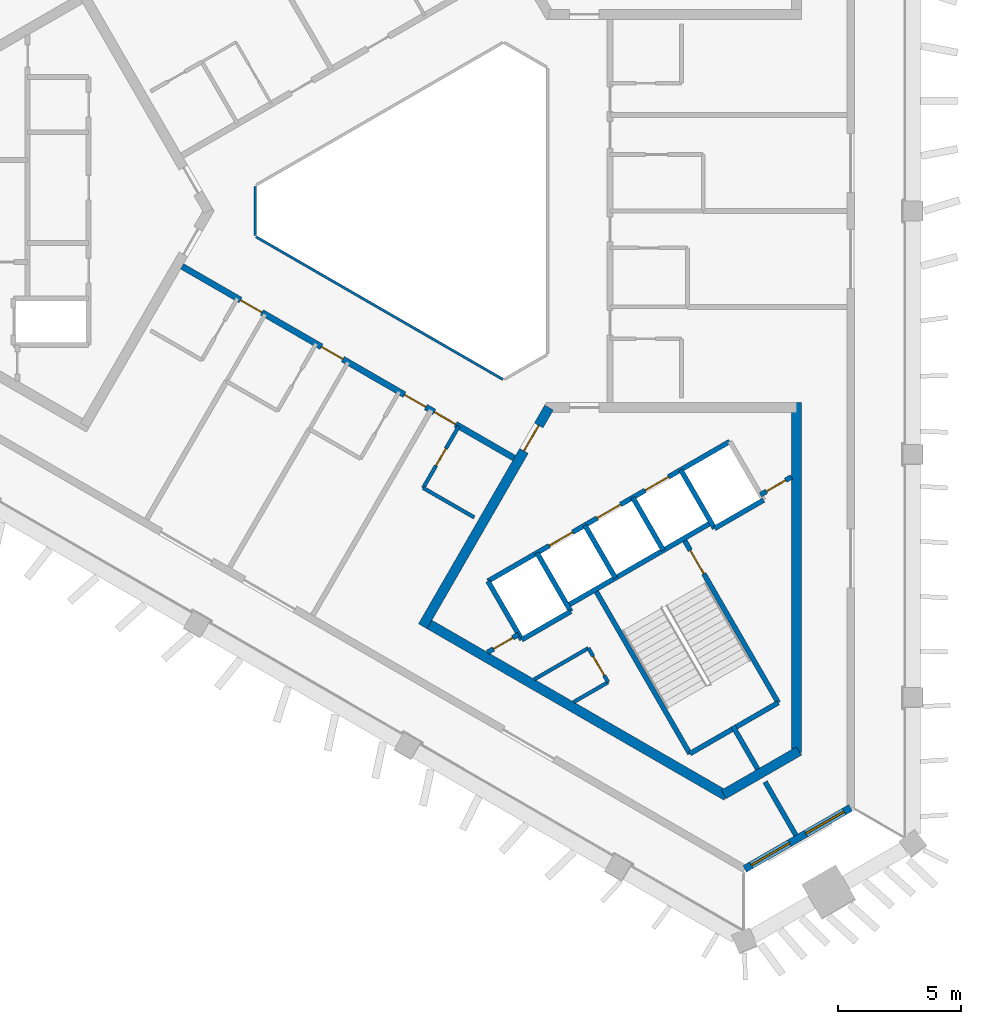
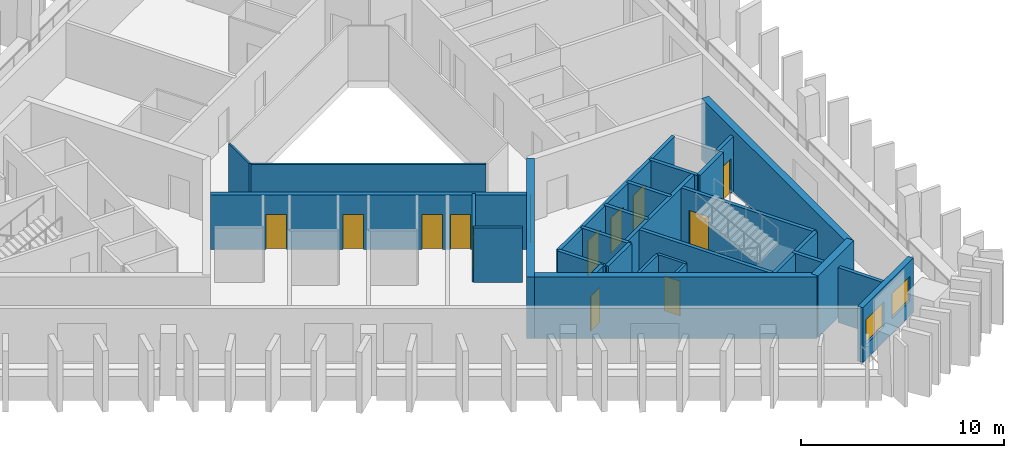
# One storey, part 3 of 9: 29 walls, 13 doors, 2 windows, 15 openings.
"""IFC4 building model written with IfcOpenShell, lengths in metres."""

from ifc_helpers import new_model, si_unit, direction, frame, frame_2d, origin, place, context, subcontext, project, spatial, rectangle, extrude, material, layer, layer_set, type_object, element, fill, save


model = new_model("IFC4")

# Units and contexts
model_context = context("Model", 3, precision=1e-05, world=origin(), true_north=direction((0.0, 1.0)))
body_context = subcontext(model_context, "Body", "Model", "MODEL_VIEW")
ifc_project = project(units=[si_unit("LENGTHUNIT", "METRE"), si_unit("AREAUNIT", "SQUARE_METRE"), si_unit("VOLUMEUNIT", "CUBIC_METRE"), si_unit("PLANEANGLEUNIT", "RADIAN"), si_unit("MASSUNIT", "GRAM", prefix="KILO")], contexts=[model_context])

# Site, building, storey
site_placement = place(None, origin())
site = spatial("IfcSite", under=ifc_project, at=site_placement, CompositionType="ELEMENT")
building_placement = place(site_placement, origin())
building = spatial("IfcBuilding", under=site, at=building_placement, Name="Jabali Bay Hotel Tower and Convention Centre", CompositionType="ELEMENT")
storey_placement = place(building_placement, frame((0.0, 0.0, 259.0)))
storey = spatial("IfcBuildingStorey", under=building, at=storey_placement, Name="L63", CompositionType="ELEMENT", Elevation=259.0)

# Walls
ifc_material_1 = material(Name="Fire-resistant glazing", Category="glass")
ifc_layer_1 = layer(ifc_material_1, 0.10009765625)
ifc_layer_set_1 = layer_set([ifc_layer_1], Name="Fire-resistant glazing")
wall_type_1 = type_object("IfcWallType", Name="Atrium glazed screen 100", PredefinedType="PARTITIONING", material=ifc_layer_set_1)
wall_1_placement = place(storey_placement, frame((67.672119140625, 81.0, 0.0), z_axis=(0.0, 0.0, 1.0), x_axis=(0.0, -1.0, 0.0)))
element("IfcWall", 1, at=wall_1_placement, inside=storey, type_object=wall_type_1, Name="Atrium screen 4 L63", PredefinedType="PARTITIONING", context=body_context, shape_type="SweptSolid", body=[
    extrude(rectangle(XDim=2.0, YDim=0.10009765625, at=frame_2d((1.0, 0.0))), origin(), (0.0, 0.0, 1.0), 3.300048828125),
])
wall_2_placement = place(storey_placement, frame((67.7021484375, 78.947998046875, 0.0), z_axis=(0.0, 0.0, 1.0), x_axis=(0.866026658274, -0.499997827154, 0.0)))
element("IfcWall", 2, at=wall_2_placement, inside=storey, type_object=wall_type_1, Name="Atrium screen 5 L63", PredefinedType="PARTITIONING", context=body_context, shape_type="SweptSolid", body=[
    extrude(rectangle(XDim=11.58837890625, YDim=0.10009765625, at=frame_2d((5.794189453125, 0.0))), origin(), (0.0, 0.0, 1.0), 3.300048828125),
])
ifc_material_2 = material(Name="Concrete C40", Category="concrete")
ifc_layer_2 = layer(ifc_material_2, 0.199951171875)
ifc_layer_set_2 = layer_set([ifc_layer_2], Name="Concrete C40")
wall_type_2 = type_object("IfcWallType", Name="Core partition wall 200", PredefinedType="PARTITIONING", material=ifc_layer_set_2)
wall_3_placement = place(storey_placement, frame((87.090087890625, 59.0595703125, 0.0), z_axis=(0.0, 0.0, 1.0), x_axis=(0.499941815747, -0.866058993873, 0.0)))
element("IfcWall", 3, at=wall_3_placement, inside=storey, type_object=wall_type_2, Name="Core wall 2.5 L63", PredefinedType="PARTITIONING", context=body_context, shape_type="SweptSolid", body=[
    extrude(rectangle(XDim=2.023193359375, YDim=0.199951171875, at=frame_2d((1.01171875, 0.0))), origin(), (0.0, 0.0, 1.0), 3.300048828125),
])

# Wall, opening, door
wall_4_placement = place(storey_placement, frame((77.119873046875, 62.055908203125, 0.0), z_axis=(0.0, 0.0, 1.0), x_axis=(0.866054810376, 0.49994906283, 0.0)))
wall_4 = element("IfcWall", 4, at=wall_4_placement, inside=storey, type_object=wall_type_2, Name="Core wall 2.12 L63", PredefinedType="PARTITIONING", context=body_context, shape_type="SweptSolid", body=[
    extrude(rectangle(XDim=1.461181640625, YDim=0.199951171875, at=frame_2d((0.73046875, 0.0))), origin(), (0.0, 0.0, 1.0), 3.300048828125),
])
opening_1_placement = place(wall_4_placement, frame((0.280517578125, 0.0, 0.0)))
opening_1 = element("IfcOpeningElement", 5, at=opening_1_placement, cuts=wall_4, Name="Opening D1396", PredefinedType="OPENING", context=body_context, shape_type="SweptSolid", body=[
    extrude(rectangle(XDim=0.89990234375, YDim=2.10009765625, at=frame_2d((0.449951171875, 1.050048828125))), frame((0.0, 0.1103515625, 0.0), z_axis=(0.0, -1.0, 0.0), x_axis=(1.0, 0.0, 0.0)), (0.0, 0.0, 1.0), 0.220947265625),
])
ifc_material_3 = material(Name="Fire-rated steel door", Category="steel")
door_type_1 = type_object("IfcDoorType", Name="Vestibule fire door 900 x 2100", OperationType="NOTDEFINED", PredefinedType="NOTDEFINED", material=ifc_material_3)
door_1_placement = place(opening_1_placement, origin())
door_1 = element("IfcDoor", 6, at=door_1_placement, inside=storey, type_object=door_type_1, Name="Vestibule fire door D1396", OperationType="SINGLE_SWING_LEFT", OverallHeight=2.10009765625, OverallWidth=0.89990234375, PredefinedType="NOTDEFINED", context=body_context, shape_type="SweptSolid", body=[
    extrude(rectangle(XDim=0.89990234375, YDim=2.10009765625, at=frame_2d((0.449951171875, 1.050048828125))), frame((0.0, 0.02490234375, 0.0), z_axis=(0.0, -1.0, 0.0), x_axis=(1.0, 0.0, 0.0)), (0.0, 0.0, 1.0), 0.050048828125),
])
fill(opening_1, door_1)

wall_5_placement = place(storey_placement, frame((88.214599609375, 68.46142578125, 0.0), z_axis=(0.0, 0.0, 1.0), x_axis=(0.865982457891, 0.500074377092, 0.0)))
wall_5 = element("IfcWall", 7, at=wall_5_placement, inside=storey, type_object=wall_type_2, Name="Core wall 2.13 L63", PredefinedType="PARTITIONING", context=body_context, shape_type="SweptSolid", body=[
    extrude(rectangle(XDim=1.461181640625, YDim=0.199951171875, at=frame_2d((0.73046875, 0.0))), origin(), (0.0, 0.0, 1.0), 3.300048828125),
])
opening_2_placement = place(wall_5_placement, frame((0.280517578125, 0.0, 0.0)))
opening_2 = element("IfcOpeningElement", 8, at=opening_2_placement, cuts=wall_5, Name="Opening D1395", PredefinedType="OPENING", context=body_context, shape_type="SweptSolid", body=[
    extrude(rectangle(XDim=0.89990234375, YDim=2.10009765625, at=frame_2d((0.449951171875, 1.050048828125))), frame((0.0, 0.1103515625, 0.0), z_axis=(0.0, -1.0, 0.0), x_axis=(1.0, 0.0, 0.0)), (0.0, 0.0, 1.0), 0.220947265625),
])
door_2_placement = place(opening_2_placement, origin())
door_2 = element("IfcDoor", 9, at=door_2_placement, inside=storey, type_object=door_type_1, Name="Vestibule fire door D1395", OperationType="SINGLE_SWING_LEFT", OverallHeight=2.10009765625, OverallWidth=0.89990234375, PredefinedType="NOTDEFINED", context=body_context, shape_type="SweptSolid", body=[
    extrude(rectangle(XDim=0.89990234375, YDim=2.10009765625, at=frame_2d((0.449951171875, 1.050048828125))), frame((0.0, 0.02490234375, 0.0), z_axis=(0.0, -1.0, 0.0), x_axis=(1.0, 0.0, 0.0)), (0.0, 0.0, 1.0), 0.050048828125),
])
fill(opening_2, door_2)

ifc_material_4 = material(Name="Fire-rated board partition")
ifc_layer_3 = layer(ifc_material_4, 0.14990234375)
ifc_layer_set_3 = layer_set([ifc_layer_3], Name="Fire-rated board partition")
wall_type_3 = type_object("IfcWallType", Name="Core room partition 150", PredefinedType="PARTITIONING", material=ifc_layer_set_3)
wall_6_placement = place(storey_placement, frame((81.218994140625, 62.228515625, 0.0), z_axis=(0.0, 0.0, 1.0), x_axis=(0.499880961361, -0.866094119867, 0.0)))
wall_6 = element("IfcWall", 10, at=wall_6_placement, inside=storey, type_object=wall_type_3, Name="Core wall 2.1 L63", PredefinedType="PARTITIONING", context=body_context, shape_type="SweptSolid", body=[
    extrude(rectangle(XDim=1.60009765625, YDim=0.14990234375, at=frame_2d((0.800048828125, 0.0))), origin(), (0.0, 0.0, 1.0), 3.300048828125),
])
opening_3_placement = place(wall_6_placement, frame((0.387451171875, 0.0, 0.0)))
opening_3 = element("IfcOpeningElement", 11, at=opening_3_placement, cuts=wall_6, Name="Opening D1398", PredefinedType="OPENING", context=body_context, shape_type="SweptSolid", body=[
    extrude(rectangle(XDim=0.89990234375, YDim=2.10009765625, at=frame_2d((0.449951171875, 1.050048828125))), frame((0.0, 0.08544921875, 0.0), z_axis=(0.0, -1.0, 0.0), x_axis=(1.0, 0.0, 0.0)), (0.0, 0.0, 1.0), 0.1708984375),
])
door_type_2 = type_object("IfcDoorType", Name="Core room door 900 x 2100", OperationType="NOTDEFINED", PredefinedType="NOTDEFINED", material=ifc_material_3)
door_3_placement = place(opening_3_placement, origin())
door_3 = element("IfcDoor", 12, at=door_3_placement, inside=storey, type_object=door_type_2, Name="Core room door D1398", OperationType="SINGLE_SWING_LEFT", OverallHeight=2.10009765625, OverallWidth=0.89990234375, PredefinedType="NOTDEFINED", context=body_context, shape_type="SweptSolid", body=[
    extrude(rectangle(XDim=0.89990234375, YDim=2.10009765625, at=frame_2d((0.449951171875, 1.050048828125))), frame((0.0, 0.02490234375, 0.0), z_axis=(0.0, -1.0, 0.0), x_axis=(1.0, 0.0, 0.0)), (0.0, 0.0, 1.0), 0.050048828125),
])
fill(opening_3, door_3)

# Walls
wall_7_placement = place(storey_placement, frame((79.02001953125, 60.958984375, 0.0), z_axis=(0.0, 0.0, 1.0), x_axis=(0.866033475577, 0.499986018985, 0.0)))
element("IfcWall", 13, at=wall_7_placement, inside=storey, type_object=wall_type_3, Name="Core wall 2.16 L63", PredefinedType="PARTITIONING", context=body_context, shape_type="SweptSolid", body=[
    extrude(rectangle(XDim=2.5390625, YDim=0.14990234375, at=frame_2d((1.26953125, 0.0))), origin(), (0.0, 0.0, 1.0), 3.300048828125),
])
wall_8_placement = place(storey_placement, frame((80.6201171875, 60.03515625, 0.0), z_axis=(0.0, 0.0, 1.0), x_axis=(0.866001818993, 0.500040847832, 0.0)))
element("IfcWall", 14, at=wall_8_placement, inside=storey, type_object=wall_type_3, Name="Core wall 2.17 L63", PredefinedType="PARTITIONING", context=body_context, shape_type="SweptSolid", body=[
    extrude(rectangle(XDim=1.614990234375, YDim=0.14990234375, at=frame_2d((0.8076171875, 0.0))), origin(), (0.0, 0.0, 1.0), 3.300048828125),
])
ifc_layer_4 = layer(ifc_material_2, 0.199951171875)
ifc_layer_set_4 = layer_set([ifc_layer_4], Name="Concrete C40")
wall_type_4 = type_object("IfcWallType", Name="Core stair wall 200", PredefinedType="SOLIDWALL", material=ifc_layer_set_4)
for number, where, z_axis, x_axis, name in (
    (15, (77.13525390625, 64.95166015625, 0.0), (0.0, 0.0, 1.0), (0.499996545922, -0.866027397988, 0.0), "Core wall 2.0 L63"),
    (16, (79.127197265625, 66.1015625, 0.0), (0.0, 0.0, 1.0), (0.499996545922, -0.866027397988, 0.0), "Core wall 2.2 L63"),
):
    element("IfcWall", number, at=place(storey_placement, frame(where, z_axis=z_axis, x_axis=x_axis)), inside=storey, type_object=wall_type_4, Name=name, PredefinedType="SOLIDWALL", context=body_context, shape_type="SweptSolid", body=[
        extrude(rectangle(XDim=2.75, YDim=0.199951171875, at=frame_2d((1.375, 0.0))), origin(), (0.0, 0.0, 1.0), 3.300048828125),
    ])
wall_9_placement = place(storey_placement, frame((81.492919921875, 64.603759765625, 0.0), z_axis=(0.0, 0.0, 1.0), x_axis=(0.500006057782, -0.866021906294, 0.0)))
element("IfcWall", 17, at=wall_9_placement, inside=storey, type_object=wall_type_4, Name="Core wall 2.3 L63", PredefinedType="SOLIDWALL", context=body_context, shape_type="SweptSolid", body=[
    extrude(rectangle(XDim=7.7001953125, YDim=0.199951171875, at=frame_2d((3.85009765625, 0.0))), origin(), (0.0, 0.0, 1.0), 3.300048828125),
])
for number, where, z_axis, x_axis, name in (
    (18, (81.07568359375, 67.2265625, 0.0), (0.0, 0.0, 1.0), (0.50000366821, -0.866023285932, 0.0), "Core wall 2.4 L63"),
    (19, (83.024169921875, 68.3515625, 0.0), (0.0, 0.0, 1.0), (0.50000366821, -0.866023285932, 0.0), "Core wall 2.6 L63"),
):
    element("IfcWall", number, at=place(storey_placement, frame(where, z_axis=z_axis, x_axis=x_axis)), inside=storey, type_object=wall_type_4, Name=name, PredefinedType="SOLIDWALL", context=body_context, shape_type="SweptSolid", body=[
        extrude(rectangle(XDim=2.47998046875, YDim=0.199951171875, at=frame_2d((1.239990234375, 0.0))), origin(), (0.0, 0.0, 1.0), 3.300048828125),
    ])

# Wall, opening, door
wall_10_placement = place(storey_placement, frame((85.0869140625, 66.6787109375, 0.0), z_axis=(0.0, 0.0, 1.0), x_axis=(0.500019787375, -0.866013979237, 0.0)))
wall_10 = element("IfcWall", 20, at=wall_10_placement, inside=storey, type_object=wall_type_4, Name="Core wall 2.7 L63", PredefinedType="SOLIDWALL", context=body_context, shape_type="SweptSolid", body=[
    extrude(rectangle(XDim=7.699951171875, YDim=0.199951171875, at=frame_2d((3.85009765625, 0.0))), origin(), (0.0, 0.0, 1.0), 3.300048828125),
])
opening_4_placement = place(wall_10_placement, frame((0.550048828125, 0.0, 0.0)))
opening_4 = element("IfcOpeningElement", 21, at=opening_4_placement, cuts=wall_10, Name="Opening D1397", PredefinedType="OPENING", context=body_context, shape_type="SweptSolid", body=[
    extrude(rectangle(XDim=1.10009765625, YDim=2.10009765625, at=frame_2d((0.550048828125, 1.050048828125))), frame((0.0, 0.1103515625, 0.0), z_axis=(0.0, -1.0, 0.0), x_axis=(1.0, 0.0, 0.0)), (0.0, 0.0, 1.0), 0.220947265625),
])
door_type_3 = type_object("IfcDoorType", Name="Stair fire door 1100 x 2100", OperationType="NOTDEFINED", PredefinedType="NOTDEFINED", material=ifc_material_3)
door_4_placement = place(opening_4_placement, origin())
door_4 = element("IfcDoor", 22, at=door_4_placement, inside=storey, type_object=door_type_3, Name="Stair fire door D1397", OperationType="SINGLE_SWING_RIGHT", OverallHeight=2.10009765625, OverallWidth=1.10009765625, PredefinedType="NOTDEFINED", context=body_context, shape_type="SweptSolid", body=[
    extrude(rectangle(XDim=1.10009765625, YDim=2.10009765625, at=frame_2d((0.550048828125, 1.050048828125))), frame((0.0, 0.02490234375, 0.0), z_axis=(0.0, -1.0, 0.0), x_axis=(1.0, 0.0, 0.0)), (0.0, 0.0, 1.0), 0.050048828125),
])
fill(opening_4, door_4)

# Wall
wall_11_placement = place(storey_placement, frame((84.972900390625, 69.4765625, 0.0), z_axis=(0.0, 0.0, 1.0), x_axis=(0.499996545922, -0.866027397988, 0.0)))
element("IfcWall", 23, at=wall_11_placement, inside=storey, type_object=wall_type_4, Name="Core wall 2.8 L63", PredefinedType="SOLIDWALL", context=body_context, shape_type="SweptSolid", body=[
    extrude(rectangle(XDim=2.75, YDim=0.199951171875, at=frame_2d((1.375, 0.0))), origin(), (0.0, 0.0, 1.0), 3.300048828125),
])

# Wall, openings, doors
wall_12_placement = place(storey_placement, frame((77.13525390625, 64.95166015625, 0.0), z_axis=(0.0, 0.0, 1.0), x_axis=(0.866031916153, 0.499988720078, 0.0)))
wall_12 = element("IfcWall", 24, at=wall_12_placement, inside=storey, type_object=wall_type_4, Name="Core wall 2.10 L63", PredefinedType="SOLIDWALL", context=body_context, shape_type="SweptSolid", body=[
    extrude(rectangle(XDim=11.349853515625, YDim=0.199951171875, at=frame_2d((5.6748046875, 0.0))), origin(), (0.0, 0.0, 1.0), 3.300048828125),
])
opening_5_placement = place(wall_12_placement, frame((2.875, 0.0, 0.0)))
opening_5 = element("IfcOpeningElement", 25, at=opening_5_placement, cuts=wall_12, Name="Opening LD12-L63", PredefinedType="OPENING", context=body_context, shape_type="SweptSolid", body=[
    extrude(rectangle(XDim=1.10009765625, YDim=2.10009765625, at=frame_2d((0.550048828125, 1.050048828125))), frame((0.0, 0.1103515625, 0.0), z_axis=(0.0, -1.0, 0.0), x_axis=(1.0, 0.0, 0.0)), (0.0, 0.0, 1.0), 0.220947265625),
])
opening_6_placement = place(wall_12_placement, frame((5.125, 0.0, 0.0)))
opening_6 = element("IfcOpeningElement", 26, at=opening_6_placement, cuts=wall_12, Name="Opening LD13-L63", PredefinedType="OPENING", context=body_context, shape_type="SweptSolid", body=[
    extrude(rectangle(XDim=1.10009765625, YDim=2.10009765625, at=frame_2d((0.550048828125, 1.050048828125))), frame((0.0, 0.1103515625, 0.0), z_axis=(0.0, -1.0, 0.0), x_axis=(1.0, 0.0, 0.0)), (0.0, 0.0, 1.0), 0.220947265625),
])
opening_7_placement = place(wall_12_placement, frame((7.375, 0.0, 0.0)))
opening_7 = element("IfcOpeningElement", 27, at=opening_7_placement, cuts=wall_12, Name="Opening LD14-L63", PredefinedType="OPENING", context=body_context, shape_type="SweptSolid", body=[
    extrude(rectangle(XDim=1.10009765625, YDim=2.10009765625, at=frame_2d((0.550048828125, 1.050048828125))), frame((0.0, 0.1103515625, 0.0), z_axis=(0.0, -1.0, 0.0), x_axis=(1.0, 0.0, 0.0)), (0.0, 0.0, 1.0), 0.220947265625),
])
ifc_material_5 = material(Name="Stainless steel landing door", Category="steel")
door_type_4 = type_object("IfcDoorType", Name="Landing door 1100 x 2100", OperationType="NOTDEFINED", PredefinedType="NOTDEFINED", material=ifc_material_5)
door_5_placement = place(opening_5_placement, origin())
door_5 = element("IfcDoor", 28, at=door_5_placement, inside=storey, type_object=door_type_4, Name="Landing doors LD12-L63", OperationType="SLIDING_TO_LEFT", OverallHeight=2.10009765625, OverallWidth=1.10009765625, PredefinedType="NOTDEFINED", context=body_context, shape_type="SweptSolid", body=[
    extrude(rectangle(XDim=1.10009765625, YDim=2.10009765625, at=frame_2d((0.550048828125, 1.050048828125))), frame((0.0, 0.02490234375, 0.0), z_axis=(0.0, -1.0, 0.0), x_axis=(1.0, 0.0, 0.0)), (0.0, 0.0, 1.0), 0.050048828125),
])
fill(opening_5, door_5)
door_6_placement = place(opening_6_placement, origin())
door_6 = element("IfcDoor", 29, at=door_6_placement, inside=storey, type_object=door_type_4, Name="Landing doors LD13-L63", OperationType="SLIDING_TO_RIGHT", OverallHeight=2.10009765625, OverallWidth=1.10009765625, PredefinedType="NOTDEFINED", context=body_context, shape_type="SweptSolid", body=[
    extrude(rectangle(XDim=1.10009765625, YDim=2.10009765625, at=frame_2d((0.550048828125, 1.050048828125))), frame((0.0, 0.02490234375, 0.0), z_axis=(0.0, -1.0, 0.0), x_axis=(1.0, 0.0, 0.0)), (0.0, 0.0, 1.0), 0.050048828125),
])
fill(opening_6, door_6)
door_7_placement = place(opening_7_placement, origin())
door_7 = element("IfcDoor", 30, at=door_7_placement, inside=storey, type_object=door_type_4, Name="Landing doors LD14-L63", OperationType="SLIDING_TO_LEFT", OverallHeight=2.10009765625, OverallWidth=1.10009765625, PredefinedType="NOTDEFINED", context=body_context, shape_type="SweptSolid", body=[
    extrude(rectangle(XDim=1.10009765625, YDim=2.10009765625, at=frame_2d((0.550048828125, 1.050048828125))), frame((0.0, 0.02490234375, 0.0), z_axis=(0.0, -1.0, 0.0), x_axis=(1.0, 0.0, 0.0)), (0.0, 0.0, 1.0), 0.050048828125),
])
fill(opening_7, door_7)

# Walls
wall_13_placement = place(storey_placement, frame((80.3671875, 63.953857421875, 0.0), z_axis=(0.0, 0.0, 1.0), x_axis=(0.866026575979, 0.499997969693, 0.0)))
element("IfcWall", 31, at=wall_13_placement, inside=storey, type_object=wall_type_4, Name="Core wall 2.11 L63", PredefinedType="SOLIDWALL", context=body_context, shape_type="SweptSolid", body=[
    extrude(rectangle(XDim=6.75, YDim=0.199951171875, at=frame_2d((3.375, 0.0))), origin(), (0.0, 0.0, 1.0), 3.300048828125),
])
wall_14_placement = place(storey_placement, frame((78.51025390625, 62.570068359375, 0.0), z_axis=(0.0, 0.0, 1.0), x_axis=(0.866053019151, 0.499952165731, 0.0)))
element("IfcWall", 32, at=wall_14_placement, inside=storey, type_object=wall_type_4, Name="Core wall 2.14 L63", PredefinedType="SOLIDWALL", context=body_context, shape_type="SweptSolid", body=[
    extrude(rectangle(XDim=2.300048828125, YDim=0.199951171875, at=frame_2d((1.14990234375, 0.0))), origin(), (0.0, 0.0, 1.0), 3.300048828125),
])
wall_15_placement = place(storey_placement, frame((86.347900390625, 67.094970703125, 0.0), z_axis=(0.0, 0.0, 1.0), x_axis=(0.86602648383, 0.499998129301, 0.0)))
element("IfcWall", 33, at=wall_15_placement, inside=storey, type_object=wall_type_4, Name="Core wall 2.15 L63", PredefinedType="SOLIDWALL", context=body_context, shape_type="SweptSolid", body=[
    extrude(rectangle(XDim=2.2998046875, YDim=0.199951171875, at=frame_2d((1.14990234375, 0.0))), origin(), (0.0, 0.0, 1.0), 3.300048828125),
])
wall_16_placement = place(storey_placement, frame((85.343017578125, 57.935302734375, 0.0), z_axis=(0.0, 0.0, 1.0), x_axis=(0.866004344652, 0.500036473714, 0.0)))
element("IfcWall", 34, at=wall_16_placement, inside=storey, type_object=wall_type_4, Name="Core wall 2.18 L63", PredefinedType="SOLIDWALL", context=body_context, shape_type="SweptSolid", body=[
    extrude(rectangle(XDim=4.150146484375, YDim=0.199951171875, at=frame_2d((2.0751953125, 0.0))), origin(), (0.0, 0.0, 1.0), 3.300048828125),
])

# Wall, opening, door
ifc_material_6 = material(Name="Concrete C60", Category="concrete")
ifc_layer_5 = layer(ifc_material_6, 0.39990234375)
ifc_layer_set_5 = layer_set([ifc_layer_5], Name="Concrete C60")
wall_type_5 = type_object("IfcWallType", Name="Core wall 400", PredefinedType="SHEAR", material=ifc_layer_set_5)
wall_17_placement = place(storey_placement, frame((79.615478515625, 72.005859375, 0.0), z_axis=(0.0, 0.0, 1.0), x_axis=(-0.50000177223, -0.866024380585, 0.0)))
wall_17 = element("IfcWall", 35, at=wall_17_placement, inside=storey, type_object=wall_type_5, Name="Core wall 3.1 L63", PredefinedType="SHEAR", context=body_context, shape_type="SweptSolid", body=[
    extrude(rectangle(XDim=10.2646484375, YDim=0.39990234375, at=frame_2d((5.13232421875, 0.0))), origin(), (0.0, 0.0, 1.0), 3.699951171875),
])
opening_8_placement = place(wall_17_placement, frame((0.83447265625, 0.0, 0.0)))
opening_8 = element("IfcOpeningElement", 36, at=opening_8_placement, cuts=wall_17, Name="Opening D1393", PredefinedType="OPENING", context=body_context, shape_type="SweptSolid", body=[
    extrude(rectangle(XDim=1.199951171875, YDim=2.10009765625, at=frame_2d((0.60009765625, 1.050048828125))), frame((0.0, 0.21044921875, 0.0), z_axis=(0.0, -1.0, 0.0), x_axis=(1.0, 0.0, 0.0)), (0.0, 0.0, 1.0), 0.4208984375),
])
door_type_5 = type_object("IfcDoorType", Name="Corridor end fire door 1200 x 2100", OperationType="NOTDEFINED", PredefinedType="NOTDEFINED", material=ifc_material_3)
door_8_placement = place(opening_8_placement, origin())
door_8 = element("IfcDoor", 37, at=door_8_placement, inside=storey, type_object=door_type_5, Name="Corridor end fire door D1393", OperationType="SINGLE_SWING_RIGHT", OverallHeight=2.10009765625, OverallWidth=1.199951171875, PredefinedType="NOTDEFINED", context=body_context, shape_type="SweptSolid", body=[
    extrude(rectangle(XDim=1.199951171875, YDim=2.10009765625, at=frame_2d((0.60009765625, 1.050048828125))), frame((0.0, 0.02490234375, 0.0), z_axis=(0.0, -1.0, 0.0), x_axis=(1.0, 0.0, 0.0)), (0.0, 0.0, 1.0), 0.050048828125),
])
fill(opening_8, door_8)

# Walls
wall_18_placement = place(storey_placement, frame((74.583251953125, 63.28955078125, 0.0), z_axis=(0.0, 0.0, 1.0), x_axis=(0.866024494188, -0.500001575463, 0.0)))
element("IfcWall", 38, at=wall_18_placement, inside=storey, type_object=wall_type_5, Name="Core wall 3.2 L63", PredefinedType="SHEAR", context=body_context, shape_type="SweptSolid", body=[
    extrude(rectangle(XDim=14.13330078125, YDim=0.39990234375, at=frame_2d((7.066650390625, 0.0))), origin(), (0.0, 0.0, 1.0), 3.699951171875),
])
wall_19_placement = place(storey_placement, frame((86.72314453125, 56.28076171875, 0.0), z_axis=(0.0, 0.0, 1.0), x_axis=(0.866025485263, 0.499999858875, 0.0)))
element("IfcWall", 39, at=wall_19_placement, inside=storey, type_object=wall_type_5, Name="Core wall 3.3 L63", PredefinedType="SHEAR", context=body_context, shape_type="SweptSolid", body=[
    extrude(rectangle(XDim=3.52978515625, YDim=0.39990234375, at=frame_2d((1.764892578125, 0.0))), origin(), (0.0, 0.0, 1.0), 3.699951171875),
])
wall_20_placement = place(storey_placement, frame((89.679931640625, 57.98779296875, 0.0), z_axis=(0.0, 0.0, 1.0), x_axis=(0.0, 1.0, 0.0)))
element("IfcWall", 40, at=wall_20_placement, inside=storey, type_object=wall_type_5, Name="Core wall 3.4 L63", PredefinedType="SHEAR", context=body_context, shape_type="SweptSolid", body=[
    extrude(rectangle(XDim=14.218017578125, YDim=0.39990234375, at=frame_2d((7.10888671875, 0.0))), origin(), (0.0, 0.0, 1.0), 3.699951171875),
])

# Wall, openings, doors
ifc_layer_6 = layer(ifc_material_6, 0.25)
ifc_layer_set_6 = layer_set([ifc_layer_6], Name="Concrete C60")
wall_type_6 = type_object("IfcWallType", Name="Corridor wall 250", PredefinedType="SHEAR", material=ifc_layer_set_6)
wall_21_placement = place(storey_placement, frame((64.699951171875, 77.748291015625, 0.0), z_axis=(0.0, 0.0, 1.0), x_axis=(0.866026492143, -0.499998114903, 0.0)))
wall_21 = element("IfcWall", 41, at=wall_21_placement, inside=storey, type_object=wall_type_6, Name="Corridor wall 3 L63", PredefinedType="SHEAR", context=body_context, shape_type="SweptSolid", body=[
    extrude(rectangle(XDim=15.58837890625, YDim=0.25, at=frame_2d((7.794189453125, 0.0))), origin(), (0.0, 0.0, 1.0), 3.300048828125),
])
opening_9_placement = place(wall_21_placement, frame((2.7470703125, 0.0, 0.0)))
opening_9 = element("IfcOpeningElement", 42, at=opening_9_placement, cuts=wall_21, Name="Opening 6316", PredefinedType="OPENING", context=body_context, shape_type="SweptSolid", body=[
    extrude(rectangle(XDim=1.0, YDim=2.10009765625, at=frame_2d((0.5, 1.050048828125))), frame((0.0, 0.135498046875, 0.0), z_axis=(0.0, -1.0, 0.0), x_axis=(1.0, 0.0, 0.0)), (0.0, 0.0, 1.0), 0.27099609375),
])
opening_10_placement = place(wall_21_placement, frame((6.544189453125, 0.0, 0.0)))
opening_10 = element("IfcOpeningElement", 43, at=opening_10_placement, cuts=wall_21, Name="Opening 6318", PredefinedType="OPENING", context=body_context, shape_type="SweptSolid", body=[
    extrude(rectangle(XDim=1.0, YDim=2.10009765625, at=frame_2d((0.5, 1.050048828125))), frame((0.0, 0.135498046875, 0.0), z_axis=(0.0, -1.0, 0.0), x_axis=(1.0, 0.0, 0.0)), (0.0, 0.0, 1.0), 0.27099609375),
])
opening_11_placement = place(wall_21_placement, frame((10.44140625, 0.0, 0.0)))
opening_11 = element("IfcOpeningElement", 44, at=opening_11_placement, cuts=wall_21, Name="Opening 6320", PredefinedType="OPENING", context=body_context, shape_type="SweptSolid", body=[
    extrude(rectangle(XDim=1.0, YDim=2.10009765625, at=frame_2d((0.5, 1.050048828125))), frame((0.0, 0.135498046875, 0.0), z_axis=(0.0, -1.0, 0.0), x_axis=(1.0, 0.0, 0.0)), (0.0, 0.0, 1.0), 0.27099609375),
])
opening_12_placement = place(wall_21_placement, frame((11.84130859375, 0.0, 0.0)))
opening_12 = element("IfcOpeningElement", 45, at=opening_12_placement, cuts=wall_21, Name="Opening 6322", PredefinedType="OPENING", context=body_context, shape_type="SweptSolid", body=[
    extrude(rectangle(XDim=1.0, YDim=2.10009765625, at=frame_2d((0.5, 1.050048828125))), frame((0.0, 0.135498046875, 0.0), z_axis=(0.0, -1.0, 0.0), x_axis=(1.0, 0.0, 0.0)), (0.0, 0.0, 1.0), 0.27099609375),
])
ifc_material_7 = material(Name="Timber", Category="wood")
door_type_6 = type_object("IfcDoorType", Name="Guest room door 1000 x 2100", OperationType="NOTDEFINED", PredefinedType="NOTDEFINED", material=ifc_material_7)
door_9_placement = place(opening_9_placement, origin())
door_9 = element("IfcDoor", 46, at=door_9_placement, inside=storey, type_object=door_type_6, Name="Door 6316", OperationType="SINGLE_SWING_LEFT", OverallHeight=2.10009765625, OverallWidth=1.0, PredefinedType="NOTDEFINED", context=body_context, shape_type="SweptSolid", body=[
    extrude(rectangle(XDim=1.0, YDim=2.10009765625, at=frame_2d((0.5, 1.050048828125))), frame((0.0, 0.02490234375, 0.0), z_axis=(0.0, -1.0, 0.0), x_axis=(1.0, 0.0, 0.0)), (0.0, 0.0, 1.0), 0.050048828125),
])
fill(opening_9, door_9)
door_10_placement = place(opening_10_placement, origin())
door_10 = element("IfcDoor", 47, at=door_10_placement, inside=storey, type_object=door_type_6, Name="Door 6318", OperationType="SINGLE_SWING_LEFT", OverallHeight=2.10009765625, OverallWidth=1.0, PredefinedType="NOTDEFINED", context=body_context, shape_type="SweptSolid", body=[
    extrude(rectangle(XDim=1.0, YDim=2.10009765625, at=frame_2d((0.5, 1.050048828125))), frame((0.0, 0.02490234375, 0.0), z_axis=(0.0, -1.0, 0.0), x_axis=(1.0, 0.0, 0.0)), (0.0, 0.0, 1.0), 0.050048828125),
])
fill(opening_10, door_10)
door_11_placement = place(opening_11_placement, origin())
door_11 = element("IfcDoor", 48, at=door_11_placement, inside=storey, type_object=door_type_6, Name="Door 6320", OperationType="SINGLE_SWING_RIGHT", OverallHeight=2.10009765625, OverallWidth=1.0, PredefinedType="NOTDEFINED", context=body_context, shape_type="SweptSolid", body=[
    extrude(rectangle(XDim=1.0, YDim=2.10009765625, at=frame_2d((0.5, 1.050048828125))), frame((0.0, 0.02490234375, 0.0), z_axis=(0.0, -1.0, 0.0), x_axis=(1.0, 0.0, 0.0)), (0.0, 0.0, 1.0), 0.050048828125),
])
fill(opening_11, door_11)
door_12_placement = place(opening_12_placement, origin())
door_12 = element("IfcDoor", 49, at=door_12_placement, inside=storey, type_object=door_type_6, Name="Door 6322", OperationType="SINGLE_SWING_RIGHT", OverallHeight=2.10009765625, OverallWidth=1.0, PredefinedType="NOTDEFINED", context=body_context, shape_type="SweptSolid", body=[
    extrude(rectangle(XDim=1.0, YDim=2.10009765625, at=frame_2d((0.5, 1.050048828125))), frame((0.0, 0.02490234375, 0.0), z_axis=(0.0, -1.0, 0.0), x_axis=(1.0, 0.0, 0.0)), (0.0, 0.0, 1.0), 0.050048828125),
])
fill(opening_12, door_12)

# Wall, openings, windows
ifc_layer_7 = layer(ifc_material_2, 0.300048828125)
ifc_layer_set_7 = layer_set([ifc_layer_7], Name="Concrete C40")
wall_type_7 = type_object("IfcWallType", Name="External wall 300", PredefinedType="SOLIDWALL", material=ifc_layer_set_7)
wall_22_placement = place(storey_placement, frame((91.876708984375, 55.7333984375, 0.0), z_axis=(0.0, 0.0, 1.0), x_axis=(-0.866019347691, -0.500010489315, 0.0)))
wall_22 = element("IfcWall", 50, at=wall_22_placement, inside=storey, type_object=wall_type_7, Name="External wall south-east chamfer L63", PredefinedType="SOLIDWALL", context=body_context, shape_type="SweptSolid", body=[
    extrude(rectangle(XDim=4.96484375, YDim=0.300048828125, at=frame_2d((2.482421875, 0.0))), origin(), (0.0, 0.0, 1.0), 3.300048828125),
])
opening_13_placement = place(wall_22_placement, frame((0.29833984375, 0.0, 0.89990234375)))
opening_13 = element("IfcOpeningElement", 51, at=opening_13_placement, cuts=wall_22, Name="Opening W1", PredefinedType="OPENING", context=body_context, shape_type="SweptSolid", body=[
    extrude(rectangle(XDim=1.800048828125, YDim=1.5, at=frame_2d((0.89990234375, 0.75))), frame((0.0, 0.16064453125, 0.0), z_axis=(0.0, -1.0, 0.0), x_axis=(1.0, 0.0, 0.0)), (0.0, 0.0, 1.0), 0.321044921875),
])
opening_14_placement = place(wall_22_placement, frame((2.8662109375, 0.0, 0.89990234375)))
opening_14 = element("IfcOpeningElement", 52, at=opening_14_placement, cuts=wall_22, Name="Opening W1", PredefinedType="OPENING", context=body_context, shape_type="SweptSolid", body=[
    extrude(rectangle(XDim=1.800048828125, YDim=1.5, at=frame_2d((0.89990234375, 0.75))), frame((0.0, 0.16064453125, 0.0), z_axis=(0.0, -1.0, 0.0), x_axis=(1.0, 0.0, 0.0)), (0.0, 0.0, 1.0), 0.321044921875),
])
ifc_material_8 = material(Name="Glass", Category="glass")
window_type = type_object("IfcWindowType", Name="Window 1800 x 1500", PartitioningType="SINGLE_PANEL", PredefinedType="WINDOW", material=ifc_material_8)
window_1_placement = place(opening_13_placement, origin())
window_1 = element("IfcWindow", 53, at=window_1_placement, inside=storey, type_object=window_type, Name="Window 6301", OverallHeight=1.5, OverallWidth=1.800048828125, PartitioningType="SINGLE_PANEL", PredefinedType="WINDOW", context=body_context, shape_type="SweptSolid", body=[
    extrude(rectangle(XDim=1.800048828125, YDim=1.5, at=frame_2d((0.89990234375, 0.75))), frame((0.0, 0.030029296875, 0.0), z_axis=(0.0, -1.0, 0.0), x_axis=(1.0, 0.0, 0.0)), (0.0, 0.0, 1.0), 0.06005859375),
])
fill(opening_13, window_1)
window_2_placement = place(opening_14_placement, origin())
window_2 = element("IfcWindow", 54, at=window_2_placement, inside=storey, type_object=window_type, Name="Window 6310", OverallHeight=1.5, OverallWidth=1.800048828125, PartitioningType="SINGLE_PANEL", PredefinedType="WINDOW", context=body_context, shape_type="SweptSolid", body=[
    extrude(rectangle(XDim=1.800048828125, YDim=1.5, at=frame_2d((0.89990234375, 0.75))), frame((0.0, 0.030029296875, 0.0), z_axis=(0.0, -1.0, 0.0), x_axis=(1.0, 0.0, 0.0)), (0.0, 0.0, 1.0), 0.06005859375),
])
fill(opening_14, window_2)

# Wall
ifc_material_9 = material(Name="Plasterboard on steel stud", Category="steel")
ifc_layer_8 = layer(ifc_material_9, 0.14990234375)
ifc_layer_set_8 = layer_set([ifc_layer_8], Name="Plasterboard on steel stud")
wall_type_8 = type_object("IfcWallType", Name="Partition 150 wet", PredefinedType="PARTITIONING", material=ifc_layer_set_8)
wall_23_placement = place(storey_placement, frame((76.57763671875, 67.542236328125, 0.0), z_axis=(0.0, 0.0, 1.0), x_axis=(-0.866048270239, 0.499960392047, 0.0)))
element("IfcWall", 55, at=wall_23_placement, inside=storey, type_object=wall_type_8, Name="Partition P03 L63 037", PredefinedType="PARTITIONING", context=body_context, shape_type="SweptSolid", body=[
    extrude(rectangle(XDim=2.398193359375, YDim=0.14990234375, at=frame_2d((1.19921875, 0.0))), origin(), (0.0, 0.0, 1.0), 3.300048828125),
])

# Wall, opening, door
wall_24_placement = place(storey_placement, frame((74.500732421875, 68.7412109375, 0.0), z_axis=(0.0, 0.0, 1.0), x_axis=(0.50005036918, 0.865996321171, 0.0)))
wall_24 = element("IfcWall", 56, at=wall_24_placement, inside=storey, type_object=wall_type_8, Name="Partition P03 L63 038", PredefinedType="PARTITIONING", context=body_context, shape_type="SweptSolid", body=[
    extrude(rectangle(XDim=2.900146484375, YDim=0.14990234375, at=frame_2d((1.4501953125, 0.0))), origin(), (0.0, 0.0, 1.0), 3.300048828125),
])
opening_15_placement = place(wall_24_placement, frame((1.050048828125, 0.0, 0.0)))
opening_15 = element("IfcOpeningElement", 57, at=opening_15_placement, cuts=wall_24, Name="Opening 6321", PredefinedType="OPENING", context=body_context, shape_type="SweptSolid", body=[
    extrude(rectangle(XDim=0.800048828125, YDim=2.10009765625, at=frame_2d((0.39990234375, 1.050048828125))), frame((0.0, 0.08544921875, 0.0), z_axis=(0.0, -1.0, 0.0), x_axis=(1.0, 0.0, 0.0)), (0.0, 0.0, 1.0), 0.1708984375),
])
door_type_7 = type_object("IfcDoorType", Name="En-suite door 800 x 2100", OperationType="NOTDEFINED", PredefinedType="NOTDEFINED", material=ifc_material_7)
door_13_placement = place(opening_15_placement, origin())
door_13 = element("IfcDoor", 58, at=door_13_placement, inside=storey, type_object=door_type_7, Name="Door 6321", OperationType="SINGLE_SWING_RIGHT", OverallHeight=2.10009765625, OverallWidth=0.800048828125, PredefinedType="NOTDEFINED", context=body_context, shape_type="SweptSolid", body=[
    extrude(rectangle(XDim=0.800048828125, YDim=2.10009765625, at=frame_2d((0.39990234375, 1.050048828125))), frame((0.0, 0.02490234375, 0.0), z_axis=(0.0, -1.0, 0.0), x_axis=(1.0, 0.0, 0.0)), (0.0, 0.0, 1.0), 0.050048828125),
])
fill(opening_15, door_13)

# Wall
ifc_layer_9 = layer(ifc_material_9, 0.199951171875)
ifc_layer_set_9 = layer_set([ifc_layer_9], Name="Plasterboard on steel stud")
wall_type_9 = type_object("IfcWallType", Name="Partition 200 party", PredefinedType="PARTITIONING", material=ifc_layer_set_9)
wall_25_placement = place(storey_placement, frame((88.40185546875, 56.789306640625, 0.0), z_axis=(0.0, 0.0, 1.0), x_axis=(0.499978562988, -0.866037780095, 0.0)))
element("IfcWall", 59, at=wall_25_placement, inside=storey, type_object=wall_type_9, Name="Partition P01 L63 005", PredefinedType="PARTITIONING", context=body_context, shape_type="SweptSolid", body=[
    extrude(rectangle(XDim=2.5029296875, YDim=0.199951171875, at=frame_2d((1.25146484375, 0.0))), origin(), (0.0, 0.0, 1.0), 3.300048828125),
])

save(model, "model.ifc")
